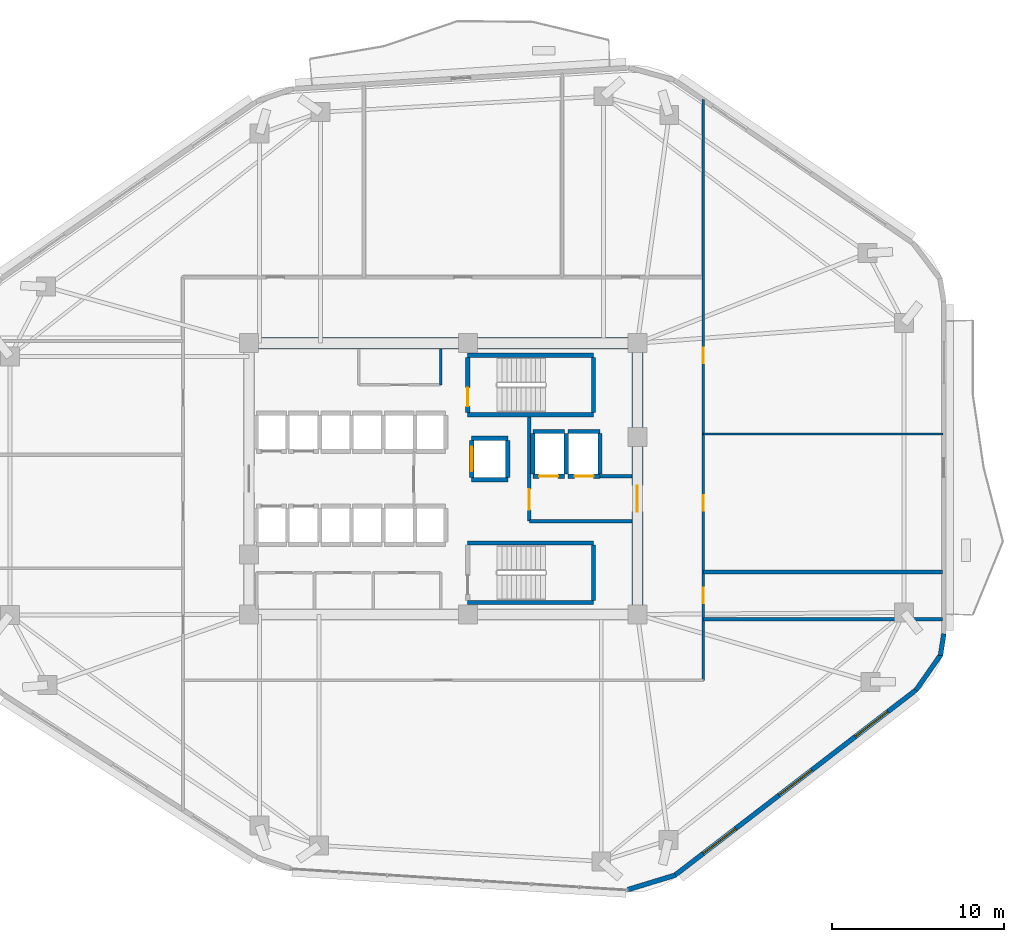
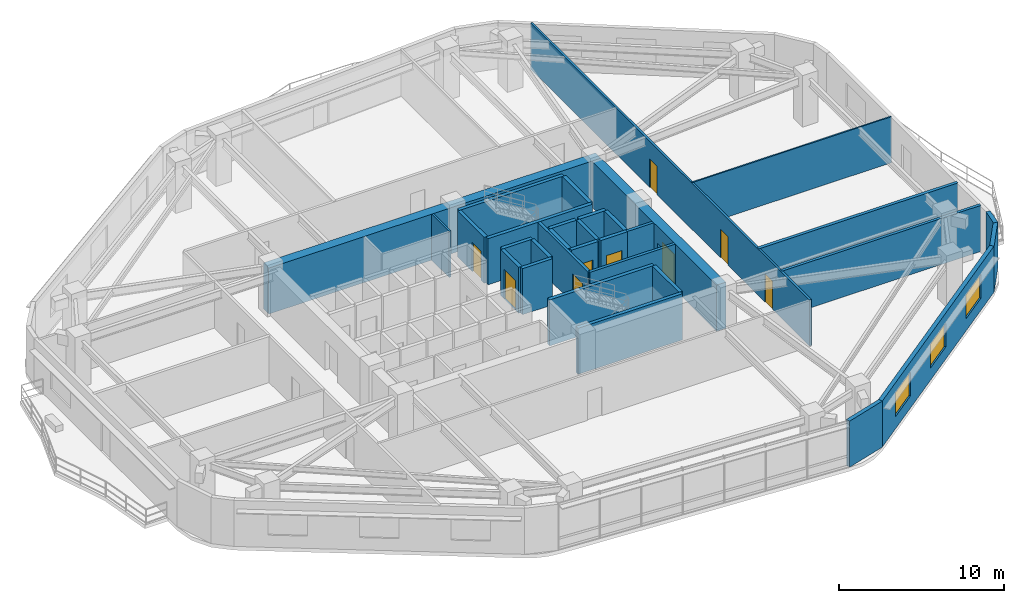
# One storey, part 8 of 12: 32 walls, 9 doors, 3 windows, 12 openings.
"""IFC4 building model written with IfcOpenShell, lengths in metres."""

from ifc_helpers import new_model, si_unit, direction, frame, frame_2d, origin, place, context, subcontext, project, spatial, rectangle, extrude, material, layer, layer_set, type_object, element, fill, save


model = new_model("IFC4")

# Units and contexts
model_context = context("Model", 3, precision=1e-05, world=origin(), true_north=direction((0.0, 1.0)))
body_context = subcontext(model_context, "Body", "Model", "MODEL_VIEW")
ifc_project = project(units=[si_unit("LENGTHUNIT", "METRE"), si_unit("AREAUNIT", "SQUARE_METRE"), si_unit("VOLUMEUNIT", "CUBIC_METRE"), si_unit("PLANEANGLEUNIT", "RADIAN"), si_unit("MASSUNIT", "GRAM", prefix="KILO")], contexts=[model_context])

# Site, building, storey
site_placement = place(None, origin())
site = spatial("IfcSite", under=ifc_project, at=site_placement, CompositionType="ELEMENT")
building_placement = place(site_placement, origin())
building = spatial("IfcBuilding", under=site, at=building_placement, Name="Zulverin Broadcast Headquarters", CompositionType="ELEMENT")
storey_placement = place(building_placement, frame((0.0, 0.0, 116.199951171875)))
storey = spatial("IfcBuildingStorey", under=building, at=storey_placement, Name="L29", CompositionType="ELEMENT", Elevation=116.199951171875)

# Walls
ifc_material_1 = material(Name="Acoustic drywall steel stud", Category="steel")
ifc_layer_1 = layer(ifc_material_1, 0.199951171875, Name="Acoustic drywall steel stud", Category="steel")
ifc_layer_set_1 = layer_set([ifc_layer_1], Name="Acoustic drywall steel stud")
wall_type_1 = type_object("IfcWallType", Name="WL-ACOU-200", PredefinedType="PARTITIONING", material=ifc_layer_set_1)
wall_1_placement = place(storey_placement, frame((52.10009765625, 17.050048828125, 0.0), z_axis=(0.0, 0.0, 1.0), x_axis=(1.0, 0.0, 0.0)))
element("IfcWall", 1, at=wall_1_placement, inside=storey, type_object=wall_type_1, Name="L29 Room Partition Wall RP-06", PredefinedType="PARTITIONING", context=body_context, shape_type="SweptSolid", body=[
    extrude(rectangle(XDim=13.89501953125, YDim=0.199951171875, at=frame_2d((6.947509765625, 0.0))), origin(), (0.0, 0.0, 1.0), 3.400146484375),
])
ifc_material_2 = material(Name="Double-stud acoustic drywall", Category="gypsum")
ifc_layer_2 = layer(ifc_material_2, 0.219970703125, Name="Double-stud acoustic drywall", Category="gypsum")
ifc_layer_set_2 = layer_set([ifc_layer_2], Name="Double-stud acoustic drywall")
wall_type_2 = type_object("IfcWallType", Name="WL-ACOU-220", PredefinedType="PARTITIONING", material=ifc_layer_set_2)
wall_2_placement = place(storey_placement, frame((52.10009765625, 19.800048828125, 0.0), z_axis=(0.0, 0.0, 1.0), x_axis=(1.0, 0.0, 0.0)))
element("IfcWall", 2, at=wall_2_placement, inside=storey, type_object=wall_type_2, Name="L29 Room Partition Wall RP-07", PredefinedType="PARTITIONING", context=body_context, shape_type="SweptSolid", body=[
    extrude(rectangle(XDim=13.89501953125, YDim=0.219970703125, at=frame_2d((6.947509765625, 0.0))), origin(), (0.0, 0.0, 1.0), 3.400146484375),
])
ifc_material_3 = material(Name="Concrete C60/75", Category="concrete")
ifc_layer_3 = layer(ifc_material_3, 0.64990234375, Name="Concrete C60/75", Category="concrete")
ifc_layer_set_3 = layer_set([ifc_layer_3], Name="Concrete C60/75")
wall_type_3 = type_object("IfcWallType", Name="WL-CORE-650", PredefinedType="SHEAR", material=ifc_layer_set_3)
wall_3_placement = place(storey_placement, frame((25.39990234375, 33.074951171875, 0.0), z_axis=(0.0, 0.0, 1.0), x_axis=(1.0, 0.0, 0.0)))
element("IfcWall", 3, at=wall_3_placement, inside=storey, type_object=wall_type_3, Name="L29 Core North Shear Wall", PredefinedType="SHEAR", context=body_context, shape_type="SweptSolid", body=[
    extrude(rectangle(XDim=23.2001953125, YDim=0.64990234375, at=frame_2d((11.60009765625, 0.0))), origin(), (0.0, 0.0, 1.0), 3.400146484375),
])

# Wall, opening, door
wall_4_placement = place(storey_placement, frame((48.27490234375, 17.64990234375, 0.0), z_axis=(0.0, 0.0, 1.0), x_axis=(0.0, 1.0, 0.0)))
wall_4 = element("IfcWall", 4, at=wall_4_placement, inside=storey, type_object=wall_type_3, Name="L29 Core East Shear Wall", PredefinedType="SHEAR", context=body_context, shape_type="SweptSolid", body=[
    extrude(rectangle(XDim=15.10009765625, YDim=0.64990234375, at=frame_2d((7.550048828125, 0.0))), origin(), (0.0, 0.0, 1.0), 3.400146484375),
])
opening_1_placement = place(wall_4_placement, frame((5.64990234375, 0.0, 0.0)))
opening_1 = element("IfcOpeningElement", 5, at=opening_1_placement, cuts=wall_4, Name="Opening D-L29-CE1", PredefinedType="OPENING", context=body_context, shape_type="SweptSolid", body=[
    extrude(rectangle(XDim=1.5, YDim=2.14990234375, at=frame_2d((0.75, 1.074951171875))), frame((0.0, 0.3349609375, 0.0), z_axis=(0.0, -1.0, 0.0), x_axis=(1.0, 0.0, 0.0)), (0.0, 0.0, 1.0), 0.669921875),
])
ifc_material_4 = material(Name="Fire-rated glazed steel frame", Category="steel")
door_type_1 = type_object("IfcDoorType", Name="DR-COR-1500", OperationType="DOUBLE_DOOR_SINGLE_SWING", PredefinedType="DOOR", material=ifc_material_4)
door_1_placement = place(opening_1_placement, origin())
door_1 = element("IfcDoor", 6, at=door_1_placement, inside=storey, type_object=door_type_1, Name="L29 Firefighting Lobby East Corridor Door", OperationType="DOUBLE_DOOR_SINGLE_SWING", OverallHeight=2.14990234375, OverallWidth=1.5, PredefinedType="DOOR", context=body_context, shape_type="SweptSolid", body=[
    extrude(rectangle(XDim=1.5, YDim=2.14990234375, at=frame_2d((0.75, 1.074951171875))), frame((0.0, 0.02490234375, 0.0), z_axis=(0.0, -1.0, 0.0), x_axis=(1.0, 0.0, 0.0)), (0.0, 0.0, 1.0), 0.050048828125),
])
fill(opening_1, door_1)

# Wall, openings, windows
ifc_material_5 = material(Name="Insulated pale-metal clad concrete spandrel C40/50", Category="concrete")
ifc_layer_4 = layer(ifc_material_5, 0.280029296875, Name="Insulated pale-metal clad concrete spandrel C40/50", Category="concrete")
ifc_layer_set_4 = layer_set([ifc_layer_4], Name="Insulated pale-metal clad concrete spandrel C40/50")
wall_type_4 = type_object("IfcWallType", Name="WL-EXT-280", PredefinedType="STANDARD", material=ifc_layer_set_4)
wall_5_placement = place(storey_placement, frame((50.4287109375, 2.171630859375, 0.0), z_axis=(0.0, 0.0, 1.0), x_axis=(0.792937466367, 0.609303023488, 0.0)))
wall_5 = element("IfcWall", 7, at=wall_5_placement, inside=storey, type_object=wall_type_4, Name="L29 Pale-Metal Clad Spandrel Wall 2", PredefinedType="STANDARD", context=body_context, shape_type="SweptSolid", body=[
    extrude(rectangle(XDim=17.712890625, YDim=0.280029296875, at=frame_2d((8.8564453125, 0.0))), origin(), (0.0, 0.0, 1.0), 3.400146484375),
])
opening_2_placement = place(wall_5_placement, frame((2.08544921875, 0.0, 0.89990234375)))
opening_2 = element("IfcOpeningElement", 8, at=opening_2_placement, cuts=wall_5, Name="Opening W-L29-E21", PredefinedType="OPENING", context=body_context, shape_type="SweptSolid", body=[
    extrude(rectangle(XDim=2.39990234375, YDim=1.75, at=frame_2d((1.199951171875, 0.875))), frame((0.0, 0.14990234375, 0.0), z_axis=(0.0, -1.0, 0.0), x_axis=(1.0, 0.0, 0.0)), (0.0, 0.0, 1.0), 0.300048828125),
])
opening_3_placement = place(wall_5_placement, frame((7.656494140625, 0.0, 0.89990234375)))
opening_3 = element("IfcOpeningElement", 9, at=opening_3_placement, cuts=wall_5, Name="Opening W-L29-E22", PredefinedType="OPENING", context=body_context, shape_type="SweptSolid", body=[
    extrude(rectangle(XDim=2.39990234375, YDim=1.75, at=frame_2d((1.199951171875, 0.875))), frame((0.0, 0.14990234375, 0.0), z_axis=(0.0, -1.0, 0.0), x_axis=(1.0, 0.0, 0.0)), (0.0, 0.0, 1.0), 0.300048828125),
])
opening_4_placement = place(wall_5_placement, frame((13.227294921875, 0.0, 0.89990234375)))
opening_4 = element("IfcOpeningElement", 10, at=opening_4_placement, cuts=wall_5, Name="Opening W-L29-E23", PredefinedType="OPENING", context=body_context, shape_type="SweptSolid", body=[
    extrude(rectangle(XDim=2.39990234375, YDim=1.75, at=frame_2d((1.199951171875, 0.875))), frame((0.0, 0.14990234375, 0.0), z_axis=(0.0, -1.0, 0.0), x_axis=(1.0, 0.0, 0.0)), (0.0, 0.0, 1.0), 0.300048828125),
])
ifc_material_6 = material(Name="Pale anodized aluminium frame with solar-control low-E double glazing", Category="aluminium")
window_type = type_object("IfcWindowType", Name="WIN-RIB-2400", PartitioningType="SINGLE_PANEL", PredefinedType="WINDOW", material=ifc_material_6)
window_1_placement = place(opening_2_placement, origin())
window_1 = element("IfcWindow", 11, at=window_1_placement, inside=storey, type_object=window_type, Name="L29 Ribbon Glazing Window 2 1", OverallHeight=1.75, OverallWidth=2.39990234375, PartitioningType="SINGLE_PANEL", PredefinedType="WINDOW", context=body_context, shape_type="SweptSolid", body=[
    extrude(rectangle(XDim=2.39990234375, YDim=1.75, at=frame_2d((1.199951171875, 0.875))), frame((0.0, 0.030029296875, 0.0), z_axis=(0.0, -1.0, 0.0), x_axis=(1.0, 0.0, 0.0)), (0.0, 0.0, 1.0), 0.06005859375),
])
fill(opening_2, window_1)
window_2_placement = place(opening_3_placement, origin())
window_2 = element("IfcWindow", 12, at=window_2_placement, inside=storey, type_object=window_type, Name="L29 Ribbon Glazing Window 2 2", OverallHeight=1.75, OverallWidth=2.39990234375, PartitioningType="SINGLE_PANEL", PredefinedType="WINDOW", context=body_context, shape_type="SweptSolid", body=[
    extrude(rectangle(XDim=2.39990234375, YDim=1.75, at=frame_2d((1.199951171875, 0.875))), frame((0.0, 0.030029296875, 0.0), z_axis=(0.0, -1.0, 0.0), x_axis=(1.0, 0.0, 0.0)), (0.0, 0.0, 1.0), 0.06005859375),
])
fill(opening_3, window_2)
window_3_placement = place(opening_4_placement, origin())
window_3 = element("IfcWindow", 13, at=window_3_placement, inside=storey, type_object=window_type, Name="L29 Ribbon Glazing Window 2 3", OverallHeight=1.75, OverallWidth=2.39990234375, PartitioningType="SINGLE_PANEL", PredefinedType="WINDOW", context=body_context, shape_type="SweptSolid", body=[
    extrude(rectangle(XDim=2.39990234375, YDim=1.75, at=frame_2d((1.199951171875, 0.875))), frame((0.0, 0.030029296875, 0.0), z_axis=(0.0, -1.0, 0.0), x_axis=(1.0, 0.0, 0.0)), (0.0, 0.0, 1.0), 0.06005859375),
])
fill(opening_4, window_3)

# Walls
wall_6_placement = place(storey_placement, frame((47.7119140625, 1.35205078125, 0.0), z_axis=(0.0, 0.0, 1.0), x_axis=(0.956465727645, 0.291844670743, 0.0)))
element("IfcWall", 14, at=wall_6_placement, inside=storey, type_object=wall_type_4, Name="L29 Wind-Shaped Corner Spandrel Wall 1-1", PredefinedType="STANDARD", context=body_context, shape_type="SweptSolid", body=[
    extrude(rectangle(XDim=2.886962890625, YDim=0.280029296875, at=frame_2d((1.443359375, 0.0))), origin(), (0.0, 0.0, 1.0), 3.400146484375),
])
wall_7_placement = place(storey_placement, frame((64.4443359375, 12.933349609375, 0.0), z_axis=(0.0, 0.0, 1.0), x_axis=(0.573176686443, 0.819431806875, 0.0)))
element("IfcWall", 15, at=wall_7_placement, inside=storey, type_object=wall_type_4, Name="L29 Wind-Shaped Corner Spandrel Wall 2-1", PredefinedType="STANDARD", context=body_context, shape_type="SweptSolid", body=[
    extrude(rectangle(XDim=2.524169921875, YDim=0.280029296875, at=frame_2d((1.26220703125, 0.0))), origin(), (0.0, 0.0, 1.0), 3.400146484375),
])
wall_8_placement = place(storey_placement, frame((65.867431640625, 14.942626953125, 0.0), z_axis=(0.0, 0.0, 1.0), x_axis=(0.152014078361, 0.988378328364, 0.0)))
element("IfcWall", 16, at=wall_8_placement, inside=storey, type_object=wall_type_4, Name="L29 Wind-Shaped Corner Spandrel Wall 2-2", PredefinedType="STANDARD", context=body_context, shape_type="SweptSolid", body=[
    extrude(rectangle(XDim=1.27685546875, YDim=0.280029296875, at=frame_2d((0.638427734375, 0.0))), origin(), (0.0, 0.0, 1.0), 3.400146484375),
])

# Wall, opening, door
ifc_material_7 = material(Name="Concrete C40/50", Category="concrete")
ifc_layer_5 = layer(ifc_material_7, 0.199951171875, Name="Concrete C40/50", Category="concrete")
ifc_layer_set_5 = layer_set([ifc_layer_5], Name="Concrete C40/50")
wall_type_5 = type_object("IfcWallType", Name="WL-FFL-200", PredefinedType="SOLIDWALL", material=ifc_layer_set_5)
wall_9_placement = place(storey_placement, frame((42.0, 22.75, 0.0), z_axis=(0.0, 0.0, 1.0), x_axis=(0.0, 1.0, 0.0)))
wall_9 = element("IfcWall", 17, at=wall_9_placement, inside=storey, type_object=wall_type_5, Name="L29 Firefighting Lift Lobby West Wall", PredefinedType="SOLIDWALL", context=body_context, shape_type="SweptSolid", body=[
    extrude(rectangle(XDim=6.050048828125, YDim=0.199951171875, at=frame_2d((3.02490234375, 0.0))), origin(), (0.0, 0.0, 1.0), 3.400146484375),
])
opening_5_placement = place(wall_9_placement, frame((0.64990234375, 0.0, 0.0)))
opening_5 = element("IfcOpeningElement", 18, at=opening_5_placement, cuts=wall_9, Name="Opening D-L29-FFLW", PredefinedType="OPENING", context=body_context, shape_type="SweptSolid", body=[
    extrude(rectangle(XDim=1.199951171875, YDim=2.14990234375, at=frame_2d((0.60009765625, 1.074951171875))), frame((0.0, 0.10986328125, 0.0), z_axis=(0.0, -1.0, 0.0), x_axis=(1.0, 0.0, 0.0)), (0.0, 0.0, 1.0), 0.219970703125),
])
ifc_material_8 = material(Name="Fire-rated steel leaf and frame", Category="steel")
door_type_2 = type_object("IfcDoorType", Name="DR-FFL-1200", OperationType="SINGLE_SWING_RIGHT", PredefinedType="DOOR", material=ifc_material_8)
door_2_placement = place(opening_5_placement, origin())
door_2 = element("IfcDoor", 19, at=door_2_placement, inside=storey, type_object=door_type_2, Name="L29 Firefighting Lift Lobby Door", OperationType="SINGLE_SWING_RIGHT", OverallHeight=2.14990234375, OverallWidth=1.199951171875, PredefinedType="DOOR", context=body_context, shape_type="SweptSolid", body=[
    extrude(rectangle(XDim=1.199951171875, YDim=2.14990234375, at=frame_2d((0.60009765625, 1.074951171875))), frame((0.0, 0.02490234375, 0.0), z_axis=(0.0, -1.0, 0.0), x_axis=(1.0, 0.0, 0.0)), (0.0, 0.0, 1.0), 0.050048828125),
])
fill(opening_5, door_2)

# Walls
wall_10_placement = place(storey_placement, frame((42.0, 22.75, 0.0), z_axis=(0.0, 0.0, 1.0), x_axis=(1.0, 0.0, 0.0)))
element("IfcWall", 20, at=wall_10_placement, inside=storey, type_object=wall_type_5, Name="L29 Firefighting Lift Lobby South Wall", PredefinedType="SOLIDWALL", context=body_context, shape_type="SweptSolid", body=[
    extrude(rectangle(XDim=5.949951171875, YDim=0.199951171875, at=frame_2d((2.97509765625, 0.0))), origin(), (0.0, 0.0, 1.0), 3.400146484375),
])
wall_11_placement = place(storey_placement, frame((46.10009765625, 25.35009765625, 0.0), z_axis=(0.0, 0.0, 1.0), x_axis=(1.0, 0.0, 0.0)))
element("IfcWall", 21, at=wall_11_placement, inside=storey, type_object=wall_type_5, Name="L29 Firefighting Lift Lobby North Wall", PredefinedType="SOLIDWALL", context=body_context, shape_type="SweptSolid", body=[
    extrude(rectangle(XDim=1.849853515625, YDim=0.199951171875, at=frame_2d((0.9248046875, 0.0))), origin(), (0.0, 0.0, 1.0), 3.400146484375),
])
ifc_material_9 = material(Name="Fire-rated acoustic laminated glass screen", Category="glass")
ifc_layer_6 = layer(ifc_material_9, 0.10009765625, Name="Fire-rated acoustic laminated glass screen", Category="glass")
ifc_layer_set_6 = layer_set([ifc_layer_6], Name="Fire-rated acoustic laminated glass screen")
wall_type_6 = type_object("IfcWallType", Name="WL-GLAZ-100", PredefinedType="PARTITIONING", material=ifc_layer_set_6)
wall_12_placement = place(storey_placement, frame((52.10009765625, 27.800048828125, 0.0), z_axis=(0.0, 0.0, 1.0), x_axis=(1.0, 0.0, 0.0)))
element("IfcWall", 22, at=wall_12_placement, inside=storey, type_object=wall_type_6, Name="L29 Room Partition Wall RP-10", PredefinedType="PARTITIONING", context=body_context, shape_type="SweptSolid", body=[
    extrude(rectangle(XDim=13.89501953125, YDim=0.10009765625, at=frame_2d((6.947509765625, 0.0))), origin(), (0.0, 0.0, 1.0), 3.400146484375),
])
ifc_material_10 = material(Name="Fire-rated gypsum stud partition", Category="gypsum")
ifc_layer_7 = layer(ifc_material_10, 0.14990234375, Name="Fire-rated gypsum stud partition", Category="gypsum")
ifc_layer_set_7 = layer_set([ifc_layer_7], Name="Fire-rated gypsum stud partition")
wall_type_7 = type_object("IfcWallType", Name="WL-PART-150", PredefinedType="PARTITIONING", material=ifc_layer_set_7)
wall_13_placement = place(storey_placement, frame((36.85009765625, 30.64990234375, 0.0), z_axis=(0.0, 0.0, 1.0), x_axis=(0.0, 1.0, 0.0)))
element("IfcWall", 23, at=wall_13_placement, inside=storey, type_object=wall_type_7, Name="L29 Core Accessible WC & Electrical Riser East Wall", PredefinedType="PARTITIONING", context=body_context, shape_type="SweptSolid", body=[
    extrude(rectangle(XDim=2.10009765625, YDim=0.14990234375, at=frame_2d((1.050048828125, 0.0))), origin(), (0.0, 0.0, 1.0), 3.400146484375),
])

# Wall, openings, doors
wall_14_placement = place(storey_placement, frame((52.10009765625, 13.5, 0.0), z_axis=(0.0, 0.0, 1.0), x_axis=(0.0, 1.0, 0.0)))
wall_14 = element("IfcWall", 24, at=wall_14_placement, inside=storey, type_object=wall_type_7, Name="L29 Gallery Partition Wall CG-01", PredefinedType="PARTITIONING", context=body_context, shape_type="SweptSolid", body=[
    extrude(rectangle(XDim=33.722900390625, YDim=0.14990234375, at=frame_2d((16.861328125, 0.0))), origin(), (0.0, 0.0, 1.0), 3.400146484375),
])
opening_6_placement = place(wall_14_placement, frame((4.47509765625, 0.0, 0.0)))
opening_6 = element("IfcOpeningElement", 25, at=opening_6_placement, cuts=wall_14, Name="Opening D-L29-08", PredefinedType="OPENING", context=body_context, shape_type="SweptSolid", body=[
    extrude(rectangle(XDim=0.89990234375, YDim=2.10009765625, at=frame_2d((0.449951171875, 1.050048828125))), frame((0.0, 0.0849609375, 0.0), z_axis=(0.0, -1.0, 0.0), x_axis=(1.0, 0.0, 0.0)), (0.0, 0.0, 1.0), 0.169921875),
])
opening_7_placement = place(wall_14_placement, frame((9.85009765625, 0.0, 0.0)))
opening_7 = element("IfcOpeningElement", 26, at=opening_7_placement, cuts=wall_14, Name="Opening D-L29-09", PredefinedType="OPENING", context=body_context, shape_type="SweptSolid", body=[
    extrude(rectangle(XDim=0.89990234375, YDim=2.10009765625, at=frame_2d((0.449951171875, 1.050048828125))), frame((0.0, 0.0849609375, 0.0), z_axis=(0.0, -1.0, 0.0), x_axis=(1.0, 0.0, 0.0)), (0.0, 0.0, 1.0), 0.169921875),
])
opening_8_placement = place(wall_14_placement, frame((18.39990234375, 0.0, 0.0)))
opening_8 = element("IfcOpeningElement", 27, at=opening_8_placement, cuts=wall_14, Name="Opening D-L29-10", PredefinedType="OPENING", context=body_context, shape_type="SweptSolid", body=[
    extrude(rectangle(XDim=0.89990234375, YDim=2.10009765625, at=frame_2d((0.449951171875, 1.050048828125))), frame((0.0, 0.0849609375, 0.0), z_axis=(0.0, -1.0, 0.0), x_axis=(1.0, 0.0, 0.0)), (0.0, 0.0, 1.0), 0.169921875),
])
ifc_material_11 = material(Name="Fire-rated hardwood veneer timber leaf", Category="wood")
door_type_3 = type_object("IfcDoorType", Name="DR-ROOM-900", OperationType="SINGLE_SWING_RIGHT", PredefinedType="DOOR", material=ifc_material_11)
door_3_placement = place(opening_6_placement, origin())
door_3 = element("IfcDoor", 28, at=door_3_placement, inside=storey, type_object=door_type_3, Name="L29 Archive Library Door", OperationType="SINGLE_SWING_LEFT", OverallHeight=2.10009765625, OverallWidth=0.89990234375, PredefinedType="DOOR", context=body_context, shape_type="SweptSolid", body=[
    extrude(rectangle(XDim=0.89990234375, YDim=2.10009765625, at=frame_2d((0.449951171875, 1.050048828125))), frame((0.0, 0.02490234375, 0.0), z_axis=(0.0, -1.0, 0.0), x_axis=(1.0, 0.0, 0.0)), (0.0, 0.0, 1.0), 0.050048828125),
])
fill(opening_6, door_3)
door_4_placement = place(opening_7_placement, origin())
door_4 = element("IfcDoor", 29, at=door_4_placement, inside=storey, type_object=door_type_3, Name="L29 Staff Cafe Door", OperationType="SINGLE_SWING_RIGHT", OverallHeight=2.10009765625, OverallWidth=0.89990234375, PredefinedType="DOOR", context=body_context, shape_type="SweptSolid", body=[
    extrude(rectangle(XDim=0.89990234375, YDim=2.10009765625, at=frame_2d((0.449951171875, 1.050048828125))), frame((0.0, 0.02490234375, 0.0), z_axis=(0.0, -1.0, 0.0), x_axis=(1.0, 0.0, 0.0)), (0.0, 0.0, 1.0), 0.050048828125),
])
fill(opening_7, door_4)
door_5_placement = place(opening_8_placement, origin())
door_5 = element("IfcDoor", 30, at=door_5_placement, inside=storey, type_object=door_type_3, Name="L29 Tea Pantry Door", OperationType="SINGLE_SWING_LEFT", OverallHeight=2.10009765625, OverallWidth=0.89990234375, PredefinedType="DOOR", context=body_context, shape_type="SweptSolid", body=[
    extrude(rectangle(XDim=0.89990234375, YDim=2.10009765625, at=frame_2d((0.449951171875, 1.050048828125))), frame((0.0, 0.02490234375, 0.0), z_axis=(0.0, -1.0, 0.0), x_axis=(1.0, 0.0, 0.0)), (0.0, 0.0, 1.0), 0.050048828125),
])
fill(opening_8, door_5)

# Walls
ifc_material_12 = material(Name="Concrete C50/60", Category="concrete")
ifc_layer_8 = layer(ifc_material_12, 0.25, Name="Concrete C50/60", Category="concrete")
ifc_layer_set_8 = layer_set([ifc_layer_8], Name="Concrete C50/60")
wall_type_8 = type_object("IfcWallType", Name="WL-SHAFT-250", PredefinedType="SHEAR", material=ifc_layer_set_8)
for number, where, z_axis, x_axis, name in (
    (31, (38.425048828125, 28.925048828125, 0.0), (0.0, 0.0, 1.0), (1.0, 0.0, 0.0), "L29 ST-1 Enclosure Wall S"),
    (32, (38.425048828125, 32.375, 0.0), (0.0, 0.0, 1.0), (1.0, 0.0, 0.0), "L29 ST-1 Enclosure Wall N"),
):
    element("IfcWall", number, at=place(storey_placement, frame(where, z_axis=z_axis, x_axis=x_axis)), inside=storey, type_object=wall_type_8, Name=name, PredefinedType="SHEAR", context=body_context, shape_type="SweptSolid", body=[
        extrude(rectangle(XDim=7.300048828125, YDim=0.25, at=frame_2d((3.64990234375, 0.0))), origin(), (0.0, 0.0, 1.0), 3.400146484375),
    ])

# Wall, opening, door
wall_15_placement = place(storey_placement, frame((38.425048828125, 29.050048828125, 0.0), z_axis=(0.0, 0.0, 1.0), x_axis=(0.0, 1.0, 0.0)))
wall_15 = element("IfcWall", 33, at=wall_15_placement, inside=storey, type_object=wall_type_8, Name="L29 ST-1 Enclosure Wall W", PredefinedType="SHEAR", context=body_context, shape_type="SweptSolid", body=[
    extrude(rectangle(XDim=3.199951171875, YDim=0.25, at=frame_2d((1.60009765625, 0.0))), origin(), (0.0, 0.0, 1.0), 3.400146484375),
])
opening_9_placement = place(wall_15_placement, frame((0.35009765625, 0.0, 0.0)))
opening_9 = element("IfcOpeningElement", 34, at=opening_9_placement, cuts=wall_15, Name="Opening D-L29-ST-1", PredefinedType="OPENING", context=body_context, shape_type="SweptSolid", body=[
    extrude(rectangle(XDim=1.10009765625, YDim=2.14990234375, at=frame_2d((0.550048828125, 1.074951171875))), frame((0.0, 0.135009765625, 0.0), z_axis=(0.0, -1.0, 0.0), x_axis=(1.0, 0.0, 0.0)), (0.0, 0.0, 1.0), 0.27001953125),
])
door_type_4 = type_object("IfcDoorType", Name="DR-STAIR-1100", OperationType="SINGLE_SWING_LEFT", PredefinedType="DOOR", material=ifc_material_8)
door_6_placement = place(opening_9_placement, origin())
door_6 = element("IfcDoor", 35, at=door_6_placement, inside=storey, type_object=door_type_4, Name="L29 Exit Stair ST-1 Fire Door", OperationType="SINGLE_SWING_LEFT", OverallHeight=2.14990234375, OverallWidth=1.10009765625, PredefinedType="DOOR", context=body_context, shape_type="SweptSolid", body=[
    extrude(rectangle(XDim=1.10009765625, YDim=2.14990234375, at=frame_2d((0.550048828125, 1.074951171875))), frame((0.0, 0.02490234375, 0.0), z_axis=(0.0, -1.0, 0.0), x_axis=(1.0, 0.0, 0.0)), (0.0, 0.0, 1.0), 0.050048828125),
])
fill(opening_9, door_6)

# Walls
wall_16_placement = place(storey_placement, frame((45.72509765625, 29.050048828125, 0.0), z_axis=(0.0, 0.0, 1.0), x_axis=(0.0, 1.0, 0.0)))
element("IfcWall", 36, at=wall_16_placement, inside=storey, type_object=wall_type_8, Name="L29 ST-1 Enclosure Wall E", PredefinedType="SHEAR", context=body_context, shape_type="SweptSolid", body=[
    extrude(rectangle(XDim=3.199951171875, YDim=0.25, at=frame_2d((1.60009765625, 0.0))), origin(), (0.0, 0.0, 1.0), 3.400146484375),
])
for number, where, z_axis, x_axis, name in (
    (37, (38.425048828125, 18.02490234375, 0.0), (0.0, 0.0, 1.0), (1.0, 0.0, 0.0), "L29 ST-2 Enclosure Wall S"),
    (38, (38.425048828125, 21.47509765625, 0.0), (0.0, 0.0, 1.0), (1.0, 0.0, 0.0), "L29 ST-2 Enclosure Wall N"),
):
    element("IfcWall", number, at=place(storey_placement, frame(where, z_axis=z_axis, x_axis=x_axis)), inside=storey, type_object=wall_type_8, Name=name, PredefinedType="SHEAR", context=body_context, shape_type="SweptSolid", body=[
        extrude(rectangle(XDim=7.300048828125, YDim=0.25, at=frame_2d((3.64990234375, 0.0))), origin(), (0.0, 0.0, 1.0), 3.400146484375),
    ])
wall_17_placement = place(storey_placement, frame((45.72509765625, 18.14990234375, 0.0), z_axis=(0.0, 0.0, 1.0), x_axis=(0.0, 1.0, 0.0)))
element("IfcWall", 39, at=wall_17_placement, inside=storey, type_object=wall_type_8, Name="L29 ST-2 Enclosure Wall E", PredefinedType="SHEAR", context=body_context, shape_type="SweptSolid", body=[
    extrude(rectangle(XDim=3.2001953125, YDim=0.25, at=frame_2d((1.60009765625, 0.0))), origin(), (0.0, 0.0, 1.0), 3.400146484375),
])

# Wall, opening, door
wall_18_placement = place(storey_placement, frame((42.199951171875, 25.35009765625, 0.0), z_axis=(0.0, 0.0, 1.0), x_axis=(1.0, 0.0, 0.0)))
wall_18 = element("IfcWall", 40, at=wall_18_placement, inside=storey, type_object=wall_type_8, Name="L29 Lift FFL-1 Shaft Wall S", PredefinedType="SHEAR", context=body_context, shape_type="SweptSolid", body=[
    extrude(rectangle(XDim=1.85009765625, YDim=0.25, at=frame_2d((0.925048828125, 0.0))), origin(), (0.0, 0.0, 1.0), 3.400146484375),
])
opening_10_placement = place(wall_18_placement, frame((0.375, 0.0, 0.0)))
opening_10 = element("IfcOpeningElement", 41, at=opening_10_placement, cuts=wall_18, Name="Opening LD-FFL-1-L29", PredefinedType="OPENING", context=body_context, shape_type="SweptSolid", body=[
    extrude(rectangle(XDim=1.10009765625, YDim=2.14990234375, at=frame_2d((0.550048828125, 1.074951171875))), frame((0.0, 0.135009765625, 0.0), z_axis=(0.0, -1.0, 0.0), x_axis=(1.0, 0.0, 0.0)), (0.0, 0.0, 1.0), 0.27001953125),
])
ifc_material_13 = material(Name="Fire-rated stainless landing door", Category="steel")
door_type_5 = type_object("IfcDoorType", Name="LD-FFL-1100", OperationType="DOUBLE_DOOR_SLIDING", PredefinedType="DOOR", material=ifc_material_13)
door_7_placement = place(opening_10_placement, origin())
door_7 = element("IfcDoor", 42, at=door_7_placement, inside=storey, type_object=door_type_5, Name="L29 Lift FFL-1 Sliding Landing Door", OperationType="DOUBLE_DOOR_SLIDING", OverallHeight=2.14990234375, OverallWidth=1.10009765625, PredefinedType="DOOR", context=body_context, shape_type="SweptSolid", body=[
    extrude(rectangle(XDim=1.10009765625, YDim=2.14990234375, at=frame_2d((0.550048828125, 1.074951171875))), frame((0.0, 0.02490234375, 0.0), z_axis=(0.0, -1.0, 0.0), x_axis=(1.0, 0.0, 0.0)), (0.0, 0.0, 1.0), 0.050048828125),
])
fill(opening_10, door_7)

# Walls
wall_19_placement = place(storey_placement, frame((42.199951171875, 27.949951171875, 0.0), z_axis=(0.0, 0.0, 1.0), x_axis=(1.0, 0.0, 0.0)))
element("IfcWall", 43, at=wall_19_placement, inside=storey, type_object=wall_type_8, Name="L29 Lift FFL-1 Shaft Wall N", PredefinedType="SHEAR", context=body_context, shape_type="SweptSolid", body=[
    extrude(rectangle(XDim=1.85009765625, YDim=0.25, at=frame_2d((0.925048828125, 0.0))), origin(), (0.0, 0.0, 1.0), 3.400146484375),
])
for number, where, z_axis, x_axis, name in (
    (44, (42.199951171875, 25.469970703125, 0.0), (0.0, 0.0, 1.0), (0.0, 1.0, 0.0), "L29 Lift FFL-1 Shaft Wall W"),
    (45, (44.14990234375, 25.469970703125, 0.0), (0.0, 0.0, 1.0), (0.0, 1.0, 0.0), "L29 Lift FFL-1 Shaft Wall E"),
):
    element("IfcWall", number, at=place(storey_placement, frame(where, z_axis=z_axis, x_axis=x_axis)), inside=storey, type_object=wall_type_8, Name=name, PredefinedType="SHEAR", context=body_context, shape_type="SweptSolid", body=[
        extrude(rectangle(XDim=2.360107421875, YDim=0.25, at=frame_2d((1.18017578125, 0.0))), origin(), (0.0, 0.0, 1.0), 3.400146484375),
    ])

# Wall, opening, door
wall_20_placement = place(storey_placement, frame((44.25, 25.35009765625, 0.0), z_axis=(0.0, 0.0, 1.0), x_axis=(1.0, 0.0, 0.0)))
wall_20 = element("IfcWall", 46, at=wall_20_placement, inside=storey, type_object=wall_type_8, Name="L29 Lift FFL-2 Shaft Wall S", PredefinedType="SHEAR", context=body_context, shape_type="SweptSolid", body=[
    extrude(rectangle(XDim=1.85009765625, YDim=0.25, at=frame_2d((0.925048828125, 0.0))), origin(), (0.0, 0.0, 1.0), 3.400146484375),
])
opening_11_placement = place(wall_20_placement, frame((0.375, 0.0, 0.0)))
opening_11 = element("IfcOpeningElement", 47, at=opening_11_placement, cuts=wall_20, Name="Opening LD-FFL-2-L29", PredefinedType="OPENING", context=body_context, shape_type="SweptSolid", body=[
    extrude(rectangle(XDim=1.10009765625, YDim=2.14990234375, at=frame_2d((0.550048828125, 1.074951171875))), frame((0.0, 0.135009765625, 0.0), z_axis=(0.0, -1.0, 0.0), x_axis=(1.0, 0.0, 0.0)), (0.0, 0.0, 1.0), 0.27001953125),
])
door_8_placement = place(opening_11_placement, origin())
door_8 = element("IfcDoor", 48, at=door_8_placement, inside=storey, type_object=door_type_5, Name="L29 Lift FFL-2 Sliding Landing Door", OperationType="DOUBLE_DOOR_SLIDING", OverallHeight=2.14990234375, OverallWidth=1.10009765625, PredefinedType="DOOR", context=body_context, shape_type="SweptSolid", body=[
    extrude(rectangle(XDim=1.10009765625, YDim=2.14990234375, at=frame_2d((0.550048828125, 1.074951171875))), frame((0.0, 0.02490234375, 0.0), z_axis=(0.0, -1.0, 0.0), x_axis=(1.0, 0.0, 0.0)), (0.0, 0.0, 1.0), 0.050048828125),
])
fill(opening_11, door_8)

# Walls
wall_21_placement = place(storey_placement, frame((44.25, 27.949951171875, 0.0), z_axis=(0.0, 0.0, 1.0), x_axis=(1.0, 0.0, 0.0)))
element("IfcWall", 49, at=wall_21_placement, inside=storey, type_object=wall_type_8, Name="L29 Lift FFL-2 Shaft Wall N", PredefinedType="SHEAR", context=body_context, shape_type="SweptSolid", body=[
    extrude(rectangle(XDim=1.85009765625, YDim=0.25, at=frame_2d((0.925048828125, 0.0))), origin(), (0.0, 0.0, 1.0), 3.400146484375),
])
wall_22_placement = place(storey_placement, frame((46.10009765625, 25.469970703125, 0.0), z_axis=(0.0, 0.0, 1.0), x_axis=(0.0, 1.0, 0.0)))
element("IfcWall", 50, at=wall_22_placement, inside=storey, type_object=wall_type_8, Name="L29 Lift FFL-2 Shaft Wall E", PredefinedType="SHEAR", context=body_context, shape_type="SweptSolid", body=[
    extrude(rectangle(XDim=2.360107421875, YDim=0.25, at=frame_2d((1.18017578125, 0.0))), origin(), (0.0, 0.0, 1.0), 3.400146484375),
])
for number, where, z_axis, x_axis, name in (
    (51, (38.64990234375, 25.14990234375, 0.0), (0.0, 0.0, 1.0), (1.0, 0.0, 0.0), "L29 Lift SVL-1 Shaft Wall S"),
    (52, (38.64990234375, 27.550048828125, 0.0), (0.0, 0.0, 1.0), (1.0, 0.0, 0.0), "L29 Lift SVL-1 Shaft Wall N"),
):
    element("IfcWall", number, at=place(storey_placement, frame(where, z_axis=z_axis, x_axis=x_axis)), inside=storey, type_object=wall_type_8, Name=name, PredefinedType="SHEAR", context=body_context, shape_type="SweptSolid", body=[
        extrude(rectangle(XDim=2.10009765625, YDim=0.25, at=frame_2d((1.050048828125, 0.0))), origin(), (0.0, 0.0, 1.0), 3.400146484375),
    ])

# Wall, opening, door
wall_23_placement = place(storey_placement, frame((38.64990234375, 25.27001953125, 0.0), z_axis=(0.0, 0.0, 1.0), x_axis=(0.0, 1.0, 0.0)))
wall_23 = element("IfcWall", 53, at=wall_23_placement, inside=storey, type_object=wall_type_8, Name="L29 Lift SVL-1 Shaft Wall W", PredefinedType="SHEAR", context=body_context, shape_type="SweptSolid", body=[
    extrude(rectangle(XDim=2.159912109375, YDim=0.25, at=frame_2d((1.080078125, 0.0))), origin(), (0.0, 0.0, 1.0), 3.400146484375),
])
opening_12_placement = place(wall_23_placement, frame((0.3798828125, 0.0, 0.0)))
opening_12 = element("IfcOpeningElement", 54, at=opening_12_placement, cuts=wall_23, Name="Opening LD-SVL-1-L29", PredefinedType="OPENING", context=body_context, shape_type="SweptSolid", body=[
    extrude(rectangle(XDim=1.39990234375, YDim=2.199951171875, at=frame_2d((0.699951171875, 1.10009765625))), frame((0.0, 0.135009765625, 0.0), z_axis=(0.0, -1.0, 0.0), x_axis=(1.0, 0.0, 0.0)), (0.0, 0.0, 1.0), 0.27001953125),
])
ifc_material_14 = material(Name="Heavy-duty stainless landing door", Category="steel")
door_type_6 = type_object("IfcDoorType", Name="LD-GOODS-1400", OperationType="DOUBLE_DOOR_SLIDING", PredefinedType="DOOR", material=ifc_material_14)
door_9_placement = place(opening_12_placement, origin())
door_9 = element("IfcDoor", 55, at=door_9_placement, inside=storey, type_object=door_type_6, Name="L29 Lift SVL-1 Sliding Landing Door", OperationType="DOUBLE_DOOR_SLIDING", OverallHeight=2.199951171875, OverallWidth=1.39990234375, PredefinedType="DOOR", context=body_context, shape_type="SweptSolid", body=[
    extrude(rectangle(XDim=1.39990234375, YDim=2.199951171875, at=frame_2d((0.699951171875, 1.10009765625))), frame((0.0, 0.02490234375, 0.0), z_axis=(0.0, -1.0, 0.0), x_axis=(1.0, 0.0, 0.0)), (0.0, 0.0, 1.0), 0.050048828125),
])
fill(opening_12, door_9)

# Wall
wall_24_placement = place(storey_placement, frame((40.75, 25.27001953125, 0.0), z_axis=(0.0, 0.0, 1.0), x_axis=(0.0, 1.0, 0.0)))
element("IfcWall", 56, at=wall_24_placement, inside=storey, type_object=wall_type_8, Name="L29 Lift SVL-1 Shaft Wall E", PredefinedType="SHEAR", context=body_context, shape_type="SweptSolid", body=[
    extrude(rectangle(XDim=2.159912109375, YDim=0.25, at=frame_2d((1.080078125, 0.0))), origin(), (0.0, 0.0, 1.0), 3.400146484375),
])

save(model, "model.ifc")
